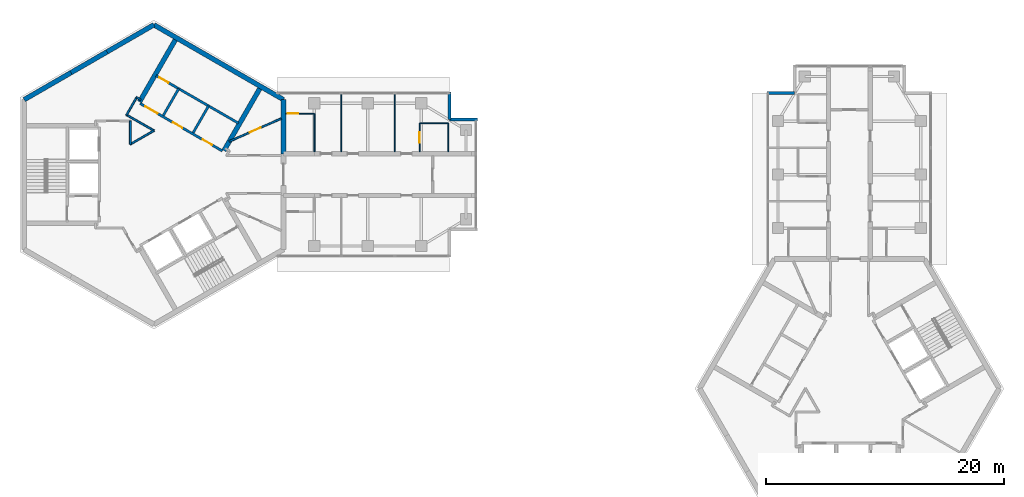
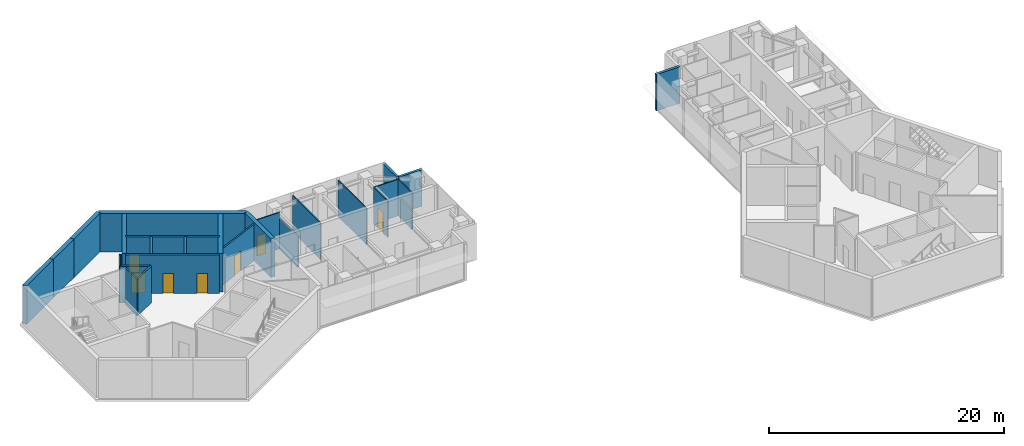
# One storey, part 7 of 11: 27 walls, 7 doors, 7 openings.
"""IFC4 building model written with IfcOpenShell, lengths in metres."""

from ifc_helpers import new_model, si_unit, direction, frame, frame_2d, origin, place, context, subcontext, project, spatial, rectangle, extrude, material, layer, layer_set, type_object, element, fill, save


model = new_model("IFC4")

# Units and contexts
model_context = context("Model", 3, precision=1e-05, world=origin(), true_north=direction((0.0, 1.0)))
body_context = subcontext(model_context, "Body", "Model", "MODEL_VIEW")
ifc_project = project(units=[si_unit("LENGTHUNIT", "METRE"), si_unit("AREAUNIT", "SQUARE_METRE"), si_unit("VOLUMEUNIT", "CUBIC_METRE"), si_unit("PLANEANGLEUNIT", "RADIAN"), si_unit("MASSUNIT", "GRAM", prefix="KILO")], contexts=[model_context])

# Site, building, storey
site_placement = place(None, origin())
site = spatial("IfcSite", under=ifc_project, at=site_placement, CompositionType="ELEMENT")
building_placement = place(site_placement, origin())
building = spatial("IfcBuilding", under=site, at=building_placement, Name="Upepo Twin Towers", CompositionType="ELEMENT")
storey_placement = place(building_placement, frame((0.0, 0.0, 275.5)))
storey = spatial("IfcBuildingStorey", under=building, at=storey_placement, Name="L67", CompositionType="ELEMENT", Elevation=275.5)

# Walls
ifc_material_1 = material(Name="Concrete C60/75", Category="concrete")
ifc_layer_1 = layer(ifc_material_1, 0.39990234375)
ifc_layer_set_1 = layer_set([ifc_layer_1], Name="Concrete C60/75")
wall_type_1 = type_object("IfcWallType", Name="Core wall 400 RC", PredefinedType="SHEAR", material=ifc_layer_set_1)
wall_1_placement = place(storey_placement, frame((10.908447265625, 1.75, 0.0), z_axis=(0.0, 0.0, 1.0), x_axis=(0.0, 1.0, 0.0)))
element("IfcWall", 1, at=wall_1_placement, inside=storey, type_object=wall_type_1, Name="T1 core wall 000 L", PredefinedType="SHEAR", context=body_context, shape_type="SweptSolid", body=[
    extrude(rectangle(XDim=4.5478515625, YDim=0.39990234375, at=frame_2d((2.27392578125, 0.0))), origin(), (0.0, 0.0, 1.0), 4.0),
])
wall_2_placement = place(storey_placement, frame((10.908447265625, 6.2978515625, 0.0), z_axis=(0.0, 0.0, 1.0), x_axis=(-0.866021940709, 0.500005998175, 0.0)))
element("IfcWall", 2, at=wall_2_placement, inside=storey, type_object=wall_type_1, Name="T1 core wall 060", PredefinedType="SHEAR", context=body_context, shape_type="SweptSolid", body=[
    extrude(rectangle(XDim=12.595947265625, YDim=0.39990234375, at=frame_2d((6.2978515625, 0.0))), origin(), (0.0, 0.0, 1.0), 4.0),
])
wall_3_placement = place(storey_placement, frame((0.0, 12.595947265625, 0.0), z_axis=(0.0, 0.0, 1.0), x_axis=(-0.866011268655, -0.500024481964, 0.0)))
element("IfcWall", 3, at=wall_3_placement, inside=storey, type_object=wall_type_1, Name="T1 core wall 120 R", PredefinedType="SHEAR", context=body_context, shape_type="SweptSolid", body=[
    extrude(rectangle(XDim=4.548095703125, YDim=0.39990234375, at=frame_2d((2.27392578125, 0.0))), origin(), (0.0, 0.0, 1.0), 4.0),
])
wall_4_placement = place(storey_placement, frame((-3.938720703125, 10.32177734375, 0.0), z_axis=(0.0, 0.0, 1.0), x_axis=(-0.866019471182, -0.500010275428, 0.0)))
element("IfcWall", 4, at=wall_4_placement, inside=storey, type_object=wall_type_1, Name="T1 core wall 120", PredefinedType="SHEAR", context=body_context, shape_type="SweptSolid", body=[
    extrude(rectangle(XDim=3.5, YDim=0.39990234375, at=frame_2d((1.75, 0.0))), origin(), (0.0, 0.0, 1.0), 4.0),
])
wall_5_placement = place(storey_placement, frame((-6.9697265625, 8.57177734375, 0.0), z_axis=(0.0, 0.0, 1.0), x_axis=(-0.866034513004, -0.499984222037, 0.0)))
element("IfcWall", 5, at=wall_5_placement, inside=storey, type_object=wall_type_1, Name="T1 core wall 120 L", PredefinedType="SHEAR", context=body_context, shape_type="SweptSolid", body=[
    extrude(rectangle(XDim=4.548095703125, YDim=0.39990234375, at=frame_2d((2.27392578125, 0.0))), origin(), (0.0, 0.0, 1.0), 4.0),
])
ifc_material_2 = material(Name="Blockwork with anodised aluminium cladding", Category="masonry")
ifc_layer_2 = layer(ifc_material_2, 0.25)
ifc_layer_set_2 = layer_set([ifc_layer_2], Name="Notch cladding wall 250, pale metal")
wall_type_2 = type_object("IfcWallType", Name="Notch cladding wall 250, pale metal", PredefinedType="STANDARD", material=ifc_layer_set_2)
for number, where, z_axis, x_axis, name in (
    (6, (24.875, 6.949951171875, 0.0), (0.0, 0.0, 1.0), (0.0, -1.0, 0.0), "T1 L67 wing A notch wall L1"),
    (7, (24.875, 4.625, 0.0), (0.0, 0.0, 1.0), (1.0, 0.0, 0.0), "T1 L67 wing A notch wall L2"),
    (8, (51.550048828125, 6.875, 0.0), (0.0, 0.0, 1.0), (1.0, 0.0, 0.0), "T2 L67 wing A notch wall L1"),
):
    element("IfcWall", number, at=place(storey_placement, frame(where, z_axis=z_axis, x_axis=x_axis)), inside=storey, type_object=wall_type_2, Name=name, PredefinedType="STANDARD", context=body_context, shape_type="SweptSolid", body=[
        extrude(rectangle(XDim=2.324951171875, YDim=0.25, at=frame_2d((1.16259765625, 0.0))), origin(), (0.0, 0.0, 1.0), 3.800048828125),
    ])
ifc_material_3 = material(Name="Gypsum board on steel studs", Category="steel")
ifc_layer_3 = layer(ifc_material_3, 0.10009765625)
ifc_layer_set_3 = layer_set([ifc_layer_3], Name="Office partition 100 stud")
wall_type_3 = type_object("IfcWallType", Name="Office partition 100 stud", PredefinedType="PARTITIONING", material=ifc_layer_set_3)
for number, where, z_axis, x_axis, name in (
    (9, (15.75, 1.925048828125, 0.0), (0.0, 0.0, 1.0), (0.0, 1.0, 0.0), "T1 partition AL at 15.75"),
    (10, (20.25, 1.925048828125, 0.0), (0.0, 0.0, 1.0), (0.0, 1.0, 0.0), "T1 partition AL at 20.25"),
):
    element("IfcWall", number, at=place(storey_placement, frame(where, z_axis=z_axis, x_axis=x_axis)), inside=storey, type_object=wall_type_3, Name=name, PredefinedType="PARTITIONING", context=body_context, shape_type="SweptSolid", body=[
        extrude(rectangle(XDim=4.824951171875, YDim=0.10009765625, at=frame_2d((2.41259765625, 0.0))), origin(), (0.0, 0.0, 1.0), 3.800048828125),
    ])
wall_6_placement = place(storey_placement, frame((22.35009765625, 4.324951171875, 0.0), z_axis=(0.0, 0.0, 1.0), x_axis=(1.0, 0.0, 0.0)))
element("IfcWall", 11, at=wall_6_placement, inside=storey, type_object=wall_type_3, Name="T1 inner room partition AL at 22.35", PredefinedType="PARTITIONING", context=body_context, shape_type="SweptSolid", body=[
    extrude(rectangle(XDim=2.39990234375, YDim=0.10009765625, at=frame_2d((1.199951171875, 0.0))), origin(), (0.0, 0.0, 1.0), 3.800048828125),
])

# Wall, opening, door
wall_7_placement = place(storey_placement, frame((22.35009765625, 1.925048828125, 0.0), z_axis=(0.0, 0.0, 1.0), x_axis=(0.0, 1.0, 0.0)))
wall_7 = element("IfcWall", 12, at=wall_7_placement, inside=storey, type_object=wall_type_3, Name="T1 inner room partition AL end at 22.35", PredefinedType="PARTITIONING", context=body_context, shape_type="SweptSolid", body=[
    extrude(rectangle(XDim=2.39990234375, YDim=0.10009765625, at=frame_2d((1.199951171875, 0.0))), origin(), (0.0, 0.0, 1.0), 3.800048828125),
])
opening_1_placement = place(wall_7_placement, frame((0.75, 0.0, 0.0)))
opening_1 = element("IfcOpeningElement", 13, at=opening_1_placement, cuts=wall_7, Name="Opening D14", PredefinedType="OPENING", context=body_context, shape_type="SweptSolid", body=[
    extrude(rectangle(XDim=0.89990234375, YDim=2.10009765625, at=frame_2d((0.449951171875, 1.050048828125))), frame((0.0, 0.06005859375, 0.0), z_axis=(0.0, -1.0, 0.0), x_axis=(1.0, 0.0, 0.0)), (0.0, 0.0, 1.0), 0.1201171875),
])
ifc_material_4 = material(Name="Timber doorset", Category="wood")
door_type_1 = type_object("IfcDoorType", Name="Office door 900 FD30", OperationType="SINGLE_SWING_LEFT", PredefinedType="DOOR", material=ifc_material_4)
door_1_placement = place(opening_1_placement, origin())
door_1 = element("IfcDoor", 14, at=door_1_placement, inside=storey, type_object=door_type_1, Name="T1 L67 inner room door", OperationType="SINGLE_SWING_LEFT", OverallHeight=2.10009765625, OverallWidth=0.89990234375, PredefinedType="DOOR", context=body_context, shape_type="SweptSolid", body=[
    extrude(rectangle(XDim=0.89990234375, YDim=2.10009765625, at=frame_2d((0.449951171875, 1.050048828125))), frame((0.0, 0.02490234375, 0.0), z_axis=(0.0, -1.0, 0.0), x_axis=(1.0, 0.0, 0.0)), (0.0, 0.0, 1.0), 0.050048828125),
])
fill(opening_1, door_1)

# Wall
wall_8_placement = place(storey_placement, frame((24.75, 1.925048828125, 0.0), z_axis=(0.0, 0.0, 1.0), x_axis=(0.0, 1.0, 0.0)))
element("IfcWall", 15, at=wall_8_placement, inside=storey, type_object=wall_type_3, Name="T1 inner room partition AL end at 24.75", PredefinedType="PARTITIONING", context=body_context, shape_type="SweptSolid", body=[
    extrude(rectangle(XDim=2.39990234375, YDim=0.10009765625, at=frame_2d((1.199951171875, 0.0))), origin(), (0.0, 0.0, 1.0), 3.800048828125),
])

# Wall, opening, door
wall_9_placement = place(storey_placement, frame((11.10791015625, 5.125, 0.0), z_axis=(0.0, 0.0, 1.0), x_axis=(1.0, 0.0, 0.0)))
wall_9 = element("IfcWall", 16, at=wall_9_placement, inside=storey, type_object=wall_type_3, Name="T1 WC bay partition AL at 11.11", PredefinedType="PARTITIONING", context=body_context, shape_type="SweptSolid", body=[
    extrude(rectangle(XDim=2.400146484375, YDim=0.10009765625, at=frame_2d((1.2001953125, 0.0))), origin(), (0.0, 0.0, 1.0), 3.800048828125),
])
opening_2_placement = place(wall_9_placement, frame((0.14990234375, 0.0, 0.0)))
opening_2 = element("IfcOpeningElement", 17, at=opening_2_placement, cuts=wall_9, Name="Opening D14", PredefinedType="OPENING", context=body_context, shape_type="SweptSolid", body=[
    extrude(rectangle(XDim=0.89990234375, YDim=2.10009765625, at=frame_2d((0.449951171875, 1.050048828125))), frame((0.0, 0.06005859375, 0.0), z_axis=(0.0, -1.0, 0.0), x_axis=(1.0, 0.0, 0.0)), (0.0, 0.0, 1.0), 0.1201171875),
])
door_2_placement = place(opening_2_placement, origin())
door_2 = element("IfcDoor", 18, at=door_2_placement, inside=storey, type_object=door_type_1, Name="T1 L67 WC bay inner room door", OperationType="SINGLE_SWING_LEFT", OverallHeight=2.10009765625, OverallWidth=0.89990234375, PredefinedType="DOOR", context=body_context, shape_type="SweptSolid", body=[
    extrude(rectangle(XDim=0.89990234375, YDim=2.10009765625, at=frame_2d((0.449951171875, 1.050048828125))), frame((0.0, 0.02490234375, 0.0), z_axis=(0.0, -1.0, 0.0), x_axis=(1.0, 0.0, 0.0)), (0.0, 0.0, 1.0), 0.050048828125),
])
fill(opening_2, door_2)

# Wall
wall_10_placement = place(storey_placement, frame((13.508056640625, 1.925048828125, 0.0), z_axis=(0.0, 0.0, 1.0), x_axis=(0.0, 1.0, 0.0)))
element("IfcWall", 19, at=wall_10_placement, inside=storey, type_object=wall_type_3, Name="T1 WC bay partition AL end at 13.51", PredefinedType="PARTITIONING", context=body_context, shape_type="SweptSolid", body=[
    extrude(rectangle(XDim=3.199951171875, YDim=0.10009765625, at=frame_2d((1.60009765625, 0.0))), origin(), (0.0, 0.0, 1.0), 3.266845703125),
])

# Wall, openings, doors
ifc_material_5 = material(Name="Concrete C40/50", Category="concrete")
ifc_layer_4 = layer(ifc_material_5, 0.199951171875)
ifc_layer_set_4 = layer_set([ifc_layer_4], Name="Concrete C40/50")
wall_type_4 = type_object("IfcWallType", Name="Shaft wall 200 RC", PredefinedType="SHEAR", material=ifc_layer_set_4)
wall_11_placement = place(storey_placement, frame((5.76416015625, 1.983642578125, 0.0), z_axis=(0.0, 0.0, 1.0), x_axis=(-0.866026010844, 0.49999894854, 0.0)))
wall_11 = element("IfcWall", 20, at=wall_11_placement, inside=storey, type_object=wall_type_4, Name="T1 core W60 front wall", PredefinedType="SHEAR", context=body_context, shape_type="SweptSolid", body=[
    extrude(rectangle(XDim=8.0, YDim=0.199951171875, at=frame_2d((4.0, 0.0))), origin(), (0.0, 0.0, 1.0), 4.0),
])
opening_3_placement = place(wall_11_placement, frame((6.300048828125, 0.0, 0.0)))
opening_3 = element("IfcOpeningElement", 21, at=opening_3_placement, cuts=wall_11, Name="Opening D4", PredefinedType="OPENING", context=body_context, shape_type="SweptSolid", body=[
    extrude(rectangle(XDim=1.199951171875, YDim=2.10009765625, at=frame_2d((0.60009765625, 1.050048828125))), frame((0.0, 0.10986328125, 0.0), z_axis=(0.0, -1.0, 0.0), x_axis=(1.0, 0.0, 0.0)), (0.0, 0.0, 1.0), 0.219970703125),
])
opening_4_placement = place(wall_11_placement, frame((1.0, 0.0, 0.0)))
opening_4 = element("IfcOpeningElement", 22, at=opening_4_placement, cuts=wall_11, Name="Opening D9", PredefinedType="OPENING", context=body_context, shape_type="SweptSolid", body=[
    extrude(rectangle(XDim=0.89990234375, YDim=2.10009765625, at=frame_2d((0.449951171875, 1.050048828125))), frame((0.0, 0.10986328125, 0.0), z_axis=(0.0, -1.0, 0.0), x_axis=(1.0, 0.0, 0.0)), (0.0, 0.0, 1.0), 0.219970703125),
])
opening_5_placement = place(wall_11_placement, frame((3.89990234375, 0.0, 0.0)))
opening_5 = element("IfcOpeningElement", 23, at=opening_5_placement, cuts=wall_11, Name="Opening D9", PredefinedType="OPENING", context=body_context, shape_type="SweptSolid", body=[
    extrude(rectangle(XDim=0.89990234375, YDim=2.10009765625, at=frame_2d((0.449951171875, 1.050048828125))), frame((0.0, 0.10986328125, 0.0), z_axis=(0.0, -1.0, 0.0), x_axis=(1.0, 0.0, 0.0)), (0.0, 0.0, 1.0), 0.219970703125),
])
ifc_material_6 = material(Name="Timber doorset", Category="wood")
door_type_2 = type_object("IfcDoorType", Name="Lobby door 1200 FD60", OperationType="SINGLE_SWING_LEFT", PredefinedType="DOOR", material=ifc_material_6)
door_3_placement = place(opening_3_placement, origin())
door_3 = element("IfcDoor", 24, at=door_3_placement, inside=storey, type_object=door_type_2, Name="T1 L67 W60 lobby door", OperationType="SINGLE_SWING_RIGHT", OverallHeight=2.10009765625, OverallWidth=1.199951171875, PredefinedType="DOOR", context=body_context, shape_type="SweptSolid", body=[
    extrude(rectangle(XDim=1.199951171875, YDim=2.10009765625, at=frame_2d((0.60009765625, 1.050048828125))), frame((0.0, 0.02490234375, 0.0), z_axis=(0.0, -1.0, 0.0), x_axis=(1.0, 0.0, 0.0)), (0.0, 0.0, 1.0), 0.050048828125),
])
fill(opening_3, door_3)
ifc_material_7 = material(Name="Timber doorset", Category="wood")
door_type_3 = type_object("IfcDoorType", Name="Riser door 900 FD60", OperationType="SINGLE_SWING_LEFT", PredefinedType="DOOR", material=ifc_material_7)
door_4_placement = place(opening_4_placement, origin())
door_4 = element("IfcDoor", 25, at=door_4_placement, inside=storey, type_object=door_type_3, Name="T1 L67 it and communications room door", OperationType="SINGLE_SWING_LEFT", OverallHeight=2.10009765625, OverallWidth=0.89990234375, PredefinedType="DOOR", context=body_context, shape_type="SweptSolid", body=[
    extrude(rectangle(XDim=0.89990234375, YDim=2.10009765625, at=frame_2d((0.449951171875, 1.050048828125))), frame((0.0, 0.02490234375, 0.0), z_axis=(0.0, -1.0, 0.0), x_axis=(1.0, 0.0, 0.0)), (0.0, 0.0, 1.0), 0.050048828125),
])
fill(opening_4, door_4)
door_5_placement = place(opening_5_placement, origin())
door_5 = element("IfcDoor", 26, at=door_5_placement, inside=storey, type_object=door_type_3, Name="T1 L67 examination papers store door", OperationType="SINGLE_SWING_RIGHT", OverallHeight=2.10009765625, OverallWidth=0.89990234375, PredefinedType="DOOR", context=body_context, shape_type="SweptSolid", body=[
    extrude(rectangle(XDim=0.89990234375, YDim=2.10009765625, at=frame_2d((0.449951171875, 1.050048828125))), frame((0.0, 0.02490234375, 0.0), z_axis=(0.0, -1.0, 0.0), x_axis=(1.0, 0.0, 0.0)), (0.0, 0.0, 1.0), 0.050048828125),
])
fill(opening_5, door_5)

# Walls
for number, where, z_axis, x_axis, name in (
    (27, (3.302734375, 3.520263671875, 0.0), (0.0, 0.0, 1.0), (0.499936506574, 0.866062058628, 0.0), "T1 core W60 shaft divider"),
    (28, (0.791259765625, 4.97021484375, 0.0), (0.0, 0.0, 1.0), (0.499936506574, 0.866062058628, 0.0), "T1 core W60 lobby wall"),
):
    element("IfcWall", number, at=place(storey_placement, frame(where, z_axis=z_axis, x_axis=x_axis)), inside=storey, type_object=wall_type_4, Name=name, PredefinedType="SHEAR", context=body_context, shape_type="SweptSolid", body=[
        extrude(rectangle(XDim=2.599853515625, YDim=0.199951171875, at=frame_2d((1.2998046875, 0.0))), origin(), (0.0, 0.0, 1.0), 4.0),
    ])

# Wall, opening, door
wall_12_placement = place(storey_placement, frame((7.114013671875, 4.322021484375, 0.0), z_axis=(0.0, 0.0, 1.0), x_axis=(-0.866026010844, 0.49999894854, 0.0)))
wall_12 = element("IfcWall", 29, at=wall_12_placement, inside=storey, type_object=wall_type_4, Name="T1 core W60 stair wall", PredefinedType="SHEAR", context=body_context, shape_type="SweptSolid", body=[
    extrude(rectangle(XDim=8.0, YDim=0.199951171875, at=frame_2d((4.0, 0.0))), origin(), (0.0, 0.0, 1.0), 4.0),
])
opening_6_placement = place(wall_12_placement, frame((6.800048828125, 0.0, 0.0)))
opening_6 = element("IfcOpeningElement", 30, at=opening_6_placement, cuts=wall_12, Name="Opening D9", PredefinedType="OPENING", context=body_context, shape_type="SweptSolid", body=[
    extrude(rectangle(XDim=0.89990234375, YDim=2.10009765625, at=frame_2d((0.449951171875, 1.050048828125))), frame((0.0, 0.10986328125, 0.0), z_axis=(0.0, -1.0, 0.0), x_axis=(1.0, 0.0, 0.0)), (0.0, 0.0, 1.0), 0.219970703125),
])
door_6_placement = place(opening_6_placement, origin())
door_6 = element("IfcDoor", 31, at=door_6_placement, inside=storey, type_object=door_type_3, Name="T1 L67 riser door", OperationType="SINGLE_SWING_RIGHT", OverallHeight=2.10009765625, OverallWidth=0.89990234375, PredefinedType="DOOR", context=body_context, shape_type="SweptSolid", body=[
    extrude(rectangle(XDim=0.89990234375, YDim=2.10009765625, at=frame_2d((0.449951171875, 1.050048828125))), frame((0.0, 0.02490234375, 0.0), z_axis=(0.0, -1.0, 0.0), x_axis=(1.0, 0.0, 0.0)), (0.0, 0.0, 1.0), 0.050048828125),
])
fill(opening_6, door_6)

# Walls
ifc_material_8 = material(Name="Concrete C40/50", Category="concrete")
ifc_layer_5 = layer(ifc_material_8, 0.39990234375)
ifc_layer_set_5 = layer_set([ifc_layer_5], Name="Concrete C40/50")
wall_type_5 = type_object("IfcWallType", Name="Shaft wall 400 RC", PredefinedType="SHEAR", material=ifc_layer_set_5)
for number, where, z_axis, x_axis, name in (
    (32, (-1.20068359375, 6.120361328125, 0.0), (0.0, 0.0, 1.0), (0.499997979876, 0.866026570101, 0.0), "T1 core W60 side wall N"),
    (33, (5.900634765625, 2.020263671875, 0.0), (0.0, 0.0, 1.0), (0.499997979876, 0.866026570101, 0.0), "T1 core W60 side wall S"),
):
    element("IfcWall", number, at=place(storey_placement, frame(where, z_axis=z_axis, x_axis=x_axis)), inside=storey, type_object=wall_type_5, Name=name, PredefinedType="SHEAR", context=body_context, shape_type="SweptSolid", body=[
        extrude(rectangle(XDim=6.00830078125, YDim=0.39990234375, at=frame_2d((3.004150390625, 0.0))), origin(), (0.0, 0.0, 1.0), 4.0),
    ])
ifc_material_9 = material(Name="Gypsum board on steel studs", Category="steel")
ifc_layer_6 = layer(ifc_material_9, 0.14990234375)
ifc_layer_set_6 = layer_set([ifc_layer_6], Name="Teaching partition 150 acoustic")
wall_type_6 = type_object("IfcWallType", Name="Teaching partition 150 acoustic", PredefinedType="PARTITIONING", material=ifc_layer_set_6)
wall_13_placement = place(storey_placement, frame((-1.97509765625, 4.52001953125, 0.0), z_axis=(0.0, 0.0, 1.0), x_axis=(0.0, -1.0, 0.0)))
element("IfcWall", 34, at=wall_13_placement, inside=storey, type_object=wall_type_6, Name="T1 core room partition 8", PredefinedType="PARTITIONING", context=body_context, shape_type="SweptSolid", body=[
    extrude(rectangle(XDim=1.985107421875, YDim=0.14990234375, at=frame_2d((0.99267578125, 0.0))), origin(), (0.0, 0.0, 1.0), 3.800048828125),
])
wall_14_placement = place(storey_placement, frame((-1.992431640625, 2.544921875, 0.0), z_axis=(0.0, 0.0, 1.0), x_axis=(0.866059450854, 0.499941024108, 0.0)))
element("IfcWall", 35, at=wall_14_placement, inside=storey, type_object=wall_type_6, Name="T1 core room partition 9", PredefinedType="PARTITIONING", context=body_context, shape_type="SweptSolid", body=[
    extrude(rectangle(XDim=2.320556640625, YDim=0.14990234375, at=frame_2d((1.16015625, 0.0))), origin(), (0.0, 0.0, 1.0), 3.800048828125),
])
wall_15_placement = place(storey_placement, frame((0.017333984375, 3.68505859375, 0.0), z_axis=(0.0, 0.0, 1.0), x_axis=(-0.866036099759, 0.499981473571, 0.0)))
element("IfcWall", 36, at=wall_15_placement, inside=storey, type_object=wall_type_6, Name="T1 core room partition 10", PredefinedType="PARTITIONING", context=body_context, shape_type="SweptSolid", body=[
    extrude(rectangle(XDim=2.6923828125, YDim=0.14990234375, at=frame_2d((1.34619140625, 0.0))), origin(), (0.0, 0.0, 1.0), 3.800048828125),
])
wall_16_placement = place(storey_placement, frame((-2.30712890625, 5.00390625, 0.0), z_axis=(0.0, 0.0, 1.0), x_axis=(0.500062521093, 0.865989304205, 0.0)))
element("IfcWall", 37, at=wall_16_placement, inside=storey, type_object=wall_type_6, Name="T1 core room partition 11", PredefinedType="PARTITIONING", context=body_context, shape_type="SweptSolid", body=[
    extrude(rectangle(XDim=1.739990234375, YDim=0.14990234375, at=frame_2d((0.8701171875, 0.0))), origin(), (0.0, 0.0, 1.0), 3.800048828125),
])
wall_17_placement = place(storey_placement, frame((-1.46435546875, 6.50341796875, 0.0), z_axis=(0.0, 0.0, 1.0), x_axis=(0.866138304741, -0.499804398801, 0.0)))
element("IfcWall", 38, at=wall_17_placement, inside=storey, type_object=wall_type_6, Name="T1 core room partition 12", PredefinedType="PARTITIONING", context=body_context, shape_type="SweptSolid", body=[
    extrude(rectangle(XDim=0.429931640625, YDim=0.14990234375, at=frame_2d((0.21484375, 0.0))), origin(), (0.0, 0.0, 1.0), 3.800048828125),
])

# Wall, opening, door
wall_18_placement = place(storey_placement, frame((6.344482421875, 2.7890625, 0.0), z_axis=(0.0, 0.0, 1.0), x_axis=(0.915438841787, 0.402457111937, 0.0)))
wall_18 = element("IfcWall", 39, at=wall_18_placement, inside=storey, type_object=wall_type_6, Name="T1 core room partition 19", PredefinedType="PARTITIONING", context=body_context, shape_type="SweptSolid", body=[
    extrude(rectangle(XDim=4.766845703125, YDim=0.14990234375, at=frame_2d((2.38330078125, 0.0))), origin(), (0.0, 0.0, 1.0), 3.800048828125),
])
opening_7_placement = place(wall_18_placement, frame((1.88330078125, 0.0, 0.0)))
opening_7 = element("IfcOpeningElement", 40, at=opening_7_placement, cuts=wall_18, Name="Opening D1", PredefinedType="OPENING", context=body_context, shape_type="SweptSolid", body=[
    extrude(rectangle(XDim=1.0, YDim=2.10009765625, at=frame_2d((0.5, 1.050048828125))), frame((0.0, 0.0849609375, 0.0), z_axis=(0.0, -1.0, 0.0), x_axis=(1.0, 0.0, 0.0)), (0.0, 0.0, 1.0), 0.169921875),
])
ifc_material_10 = material(Name="Timber doorset", Category="wood")
door_type_4 = type_object("IfcDoorType", Name="Room door 1000 FD30", OperationType="SINGLE_SWING_LEFT", PredefinedType="DOOR", material=ifc_material_10)
door_7_placement = place(opening_7_placement, origin())
door_7 = element("IfcDoor", 41, at=door_7_placement, inside=storey, type_object=door_type_4, Name="T1 L67 core room door K5", OperationType="SINGLE_SWING_LEFT", OverallHeight=2.10009765625, OverallWidth=1.0, PredefinedType="DOOR", context=body_context, shape_type="SweptSolid", body=[
    extrude(rectangle(XDim=1.0, YDim=2.10009765625, at=frame_2d((0.5, 1.050048828125))), frame((0.0, 0.02490234375, 0.0), z_axis=(0.0, -1.0, 0.0), x_axis=(1.0, 0.0, 0.0)), (0.0, 0.0, 1.0), 0.050048828125),
])
fill(opening_7, door_7)

save(model, "model.ifc")
